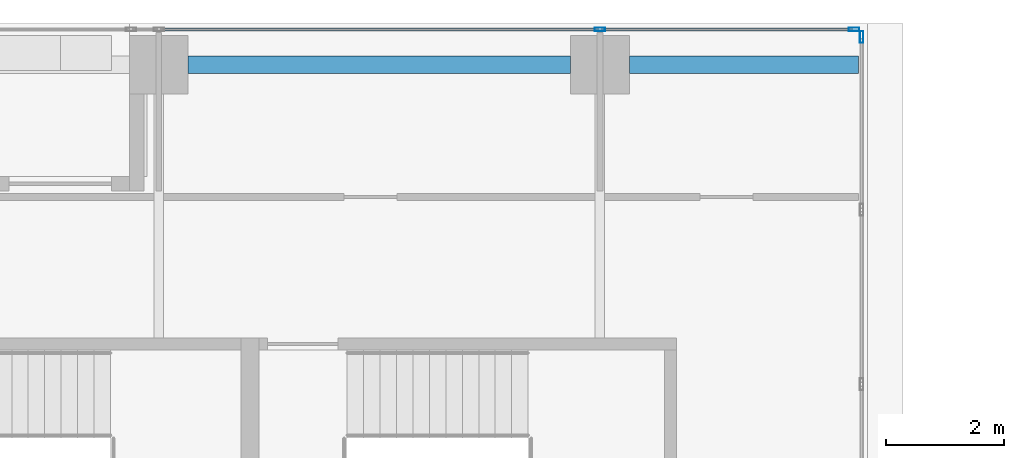
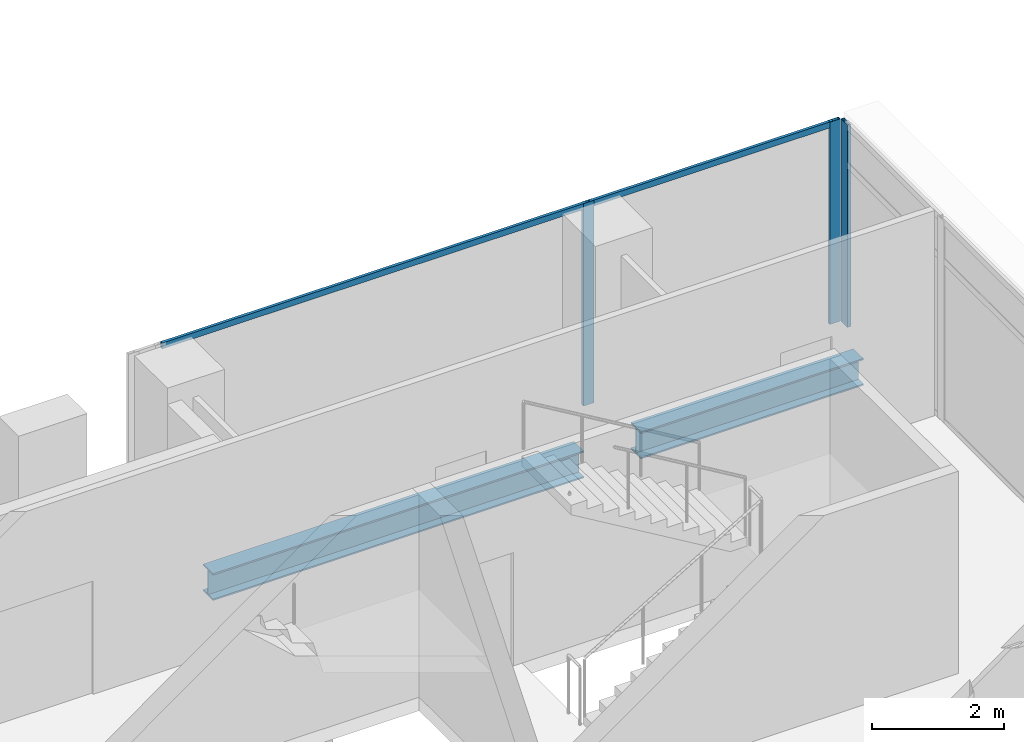
# One storey, part 23 of 37: 5 members, 2 beams, 2 elements without a shape of their own.
"""IFC4 building model written with IfcOpenShell, lengths in metres."""

from ifc_helpers import new_model, si_unit, direction, frame, origin, origin_2d, place, context, subcontext, project, spatial, hollow_rectangle, i_section, extrude, source, transform, mapped, material, material_profile, profile_set, type_object, element, aggregate, save


model = new_model("IFC4")

# Units and contexts
model_context = context("Model", 3, precision=1e-05, world=origin(), true_north=direction((0.0, 1.0)))
body_context = subcontext(model_context, "Body", "Model", "MODEL_VIEW")
ifc_project = project(units=[si_unit("LENGTHUNIT", "METRE"), si_unit("AREAUNIT", "SQUARE_METRE"), si_unit("VOLUMEUNIT", "CUBIC_METRE"), si_unit("PLANEANGLEUNIT", "RADIAN"), si_unit("MASSUNIT", "GRAM", prefix="KILO")], contexts=[model_context])

# Site, building, storey
site_placement = place(None, origin())
site = spatial("IfcSite", under=ifc_project, at=site_placement, CompositionType="ELEMENT")
building_placement = place(site_placement, origin())
building = spatial("IfcBuilding", under=site, at=building_placement, Name="Khomas Fold Tower", CompositionType="ELEMENT")
storey_placement = place(building_placement, frame((0.0, 0.0, 168.699951171875)))
storey = spatial("IfcBuildingStorey", under=building, at=storey_placement, Name="L36", CompositionType="ELEMENT", Elevation=168.699951171875)

# Beams
ifc_material_1 = material(Name="Steel S355", Category="steel")
ifc_material_profile_1 = material_profile(ifc_material_1, i_section(OverallWidth=0.300048828125, OverallDepth=0.5, WebThickness=0.014404296875, FlangeThickness=0.028076171875, at=origin_2d()), Name="HE 500 B")
ifc_profile_set_1 = profile_set([ifc_material_profile_1], Name="Steel S355")
beam_type = type_object("IfcBeamType", Name="HE 500 B spandrel SB3", PredefinedType="SPANDREL", material=ifc_profile_set_1)
shared_shape_1 = source(origin(), body_context, "Body", "SweptSolid", [
    extrude(i_section(OverallWidth=0.300048828125, OverallDepth=0.5, WebThickness=0.014404296875, FlangeThickness=0.028076171875, at=origin_2d()), origin(), (0.0, 0.0, 1.0), 6.5),
])
beam_1_placement = place(storey_placement, frame((20.0, 50.300048828125, -0.5), z_axis=(1.0, 0.0, 0.0), x_axis=(0.0, 1.0, 0.0)))
element("IfcBeam", 1, at=beam_1_placement, inside=storey, type_object=beam_type, Name="SB3", PredefinedType="SPANDREL", context=body_context, shape_type="MappedRepresentation", body=[
    mapped(shared_shape_1, transform((0.0, 0.0, 0.0))),
])
shared_shape_2 = source(origin(), body_context, "Body", "SweptSolid", [
    extrude(i_section(OverallWidth=0.300048828125, OverallDepth=0.5, WebThickness=0.014404296875, FlangeThickness=0.028076171875, at=origin_2d()), origin(), (0.0, 0.0, 1.0), 3.89990234375),
])
beam_2_placement = place(storey_placement, frame((27.5, 50.300048828125, -0.5), z_axis=(1.0, 0.0, 0.0), x_axis=(0.0, 1.0, 0.0)))
element("IfcBeam", 2, at=beam_2_placement, inside=storey, type_object=beam_type, Name="SB3", PredefinedType="SPANDREL", context=body_context, shape_type="MappedRepresentation", body=[
    mapped(shared_shape_2, transform((0.0, 0.0, 0.0))),
])

# Curtain wall, members
ifc_material_2 = material(Name="Aluminium framed double glazing", Category="aluminium")
curtain_wall_type_1 = type_object("IfcCurtainWallType", Name="SK-Unitised clear-glass wall, office floors CW2", PredefinedType="NOTDEFINED", material=ifc_material_2)
curtain_wall_1_placement = place(storey_placement, origin())
curtain_wall_1 = element("IfcCurtainWall", 3, at=curtain_wall_1_placement, inside=storey, type_object=curtain_wall_type_1, Name="CW2 run L36 15-0", PredefinedType="NOTDEFINED")
ifc_material_3 = material(Name="Aluminium", Category="aluminium")
ifc_material_profile_2 = material_profile(ifc_material_3, hollow_rectangle(XDim=0.06005859375, YDim=0.179931640625, WallThickness=0.00390625, at=origin_2d()), Name="SK-Unitised clear-glass wall, office floors mullion CW2-M")
ifc_profile_set_2 = profile_set([ifc_material_profile_2], Name="Aluminium")
member_type_1 = type_object("IfcMemberType", Name="SK-Unitised clear-glass wall, office floors mullion CW2-M", PredefinedType="MULLION", material=ifc_profile_set_2)
shared_shape_3 = source(origin(), body_context, "Body", "SweptSolid", [
    extrude(hollow_rectangle(XDim=0.06005859375, YDim=0.179931640625, WallThickness=0.00390625, at=origin_2d()), origin(), (0.0, 0.0, 1.0), 3.75),
])
member_1_placement = place(storey_placement, frame((31.320068359375, 50.89990234375, 0.0), z_axis=(0.0, 0.0, 1.0), x_axis=(0.0, -1.0, 0.0)))
member_1 = element("IfcMember", 4, at=member_1_placement, type_object=member_type_1, Name="CW2 mullion 1", PredefinedType="MULLION", context=body_context, shape_type="MappedRepresentation", body=[
    mapped(shared_shape_3, transform((0.0, 0.0, 0.0))),
])
member_2_placement = place(storey_placement, frame((27.0, 50.89990234375, 0.0), z_axis=(0.0, 0.0, 1.0), x_axis=(0.0, -1.0, 0.0)))
member_2 = element("IfcMember", 5, at=member_2_placement, type_object=member_type_1, Name="CW2 mullion 2", PredefinedType="MULLION", context=body_context, shape_type="MappedRepresentation", body=[
    mapped(shared_shape_3, transform((0.0, 0.0, 0.0))),
])
ifc_material_4 = material(Name="Aluminium", Category="aluminium")
ifc_material_profile_3 = material_profile(ifc_material_4, hollow_rectangle(XDim=0.050048828125, YDim=0.110107421875, WallThickness=0.00390625, at=origin_2d()), Name="SK-Unitised clear-glass wall, office floors transom CW2-T")
ifc_profile_set_3 = profile_set([ifc_material_profile_3], Name="Aluminium")
member_type_2 = type_object("IfcMemberType", Name="SK-Unitised clear-glass wall, office floors transom CW2-T", PredefinedType="USERDEFINED", material=ifc_profile_set_3)
shared_shape_4 = source(origin(), body_context, "Body", "SweptSolid", [
    extrude(hollow_rectangle(XDim=0.050048828125, YDim=0.110107421875, WallThickness=0.00390625, at=origin_2d()), origin(), (0.0, 0.0, 1.0), 7.43994140625),
])
member_3_placement = place(storey_placement, frame((26.969970703125, 50.89990234375, 3.695068359375), z_axis=(-1.0, 0.0, 0.0), x_axis=(0.0, -1.0, 0.0)))
member_3 = element("IfcMember", 6, at=member_3_placement, type_object=member_type_2, Name="CW2 transom 2", ObjectType="TRANSOM", PredefinedType="USERDEFINED", context=body_context, shape_type="MappedRepresentation", body=[
    mapped(shared_shape_4, transform((0.0, 0.0, 0.0))),
])
shared_shape_5 = source(origin(), body_context, "Body", "SweptSolid", [
    extrude(hollow_rectangle(XDim=0.050048828125, YDim=0.110107421875, WallThickness=0.00390625, at=origin_2d()), origin(), (0.0, 0.0, 1.0), 4.260009765625),
])
member_4_placement = place(storey_placement, frame((31.2900390625, 50.89990234375, 3.695068359375), z_axis=(-1.0, 0.0, 0.0), x_axis=(0.0, -1.0, 0.0)))
member_4 = element("IfcMember", 7, at=member_4_placement, type_object=member_type_2, Name="CW2 transom 1", ObjectType="TRANSOM", PredefinedType="USERDEFINED", context=body_context, shape_type="MappedRepresentation", body=[
    mapped(shared_shape_5, transform((0.0, 0.0, 0.0))),
])
aggregate(curtain_wall_1, [member_1, member_2, member_4, member_3])

# Curtain wall, member
ifc_material_5 = material(Name="Aluminium framed double glazing", Category="aluminium")
curtain_wall_type_2 = type_object("IfcCurtainWallType", Name="Notch glazing GN-CW", PredefinedType="NOTDEFINED", material=ifc_material_5)
curtain_wall_2_placement = place(storey_placement, origin())
curtain_wall_2 = element("IfcCurtainWall", 8, at=curtain_wall_2_placement, inside=storey, type_object=curtain_wall_type_2, Name="Notch glazing run", PredefinedType="NOTDEFINED")
ifc_material_6 = material(Name="Aluminium", Category="aluminium")
ifc_material_profile_4 = material_profile(ifc_material_6, hollow_rectangle(XDim=0.06005859375, YDim=0.199951171875, WallThickness=0.00390625, at=origin_2d()), Name="Notch glazing mullion GN-CW-M")
ifc_profile_set_4 = profile_set([ifc_material_profile_4], Name="Aluminium")
member_type_3 = type_object("IfcMemberType", Name="Notch glazing mullion GN-CW-M", PredefinedType="MULLION", material=ifc_profile_set_4)
shared_shape_6 = source(origin(), body_context, "Body", "SweptSolid", [
    extrude(hollow_rectangle(XDim=0.06005859375, YDim=0.199951171875, WallThickness=0.00390625, at=origin_2d()), origin(), (0.0, 0.0, 1.0), 3.75),
])
member_5_placement = place(storey_placement, frame((31.449951171875, 50.77001953125, 0.0), z_axis=(0.0, 0.0, 1.0), x_axis=(-1.0, 0.0, 0.0)))
member_5 = element("IfcMember", 9, at=member_5_placement, type_object=member_type_3, Name="GN-CW mullion 7", PredefinedType="MULLION", context=body_context, shape_type="MappedRepresentation", body=[
    mapped(shared_shape_6, transform((0.0, 0.0, 0.0))),
])
aggregate(curtain_wall_2, [member_5])

save(model, "model.ifc")
